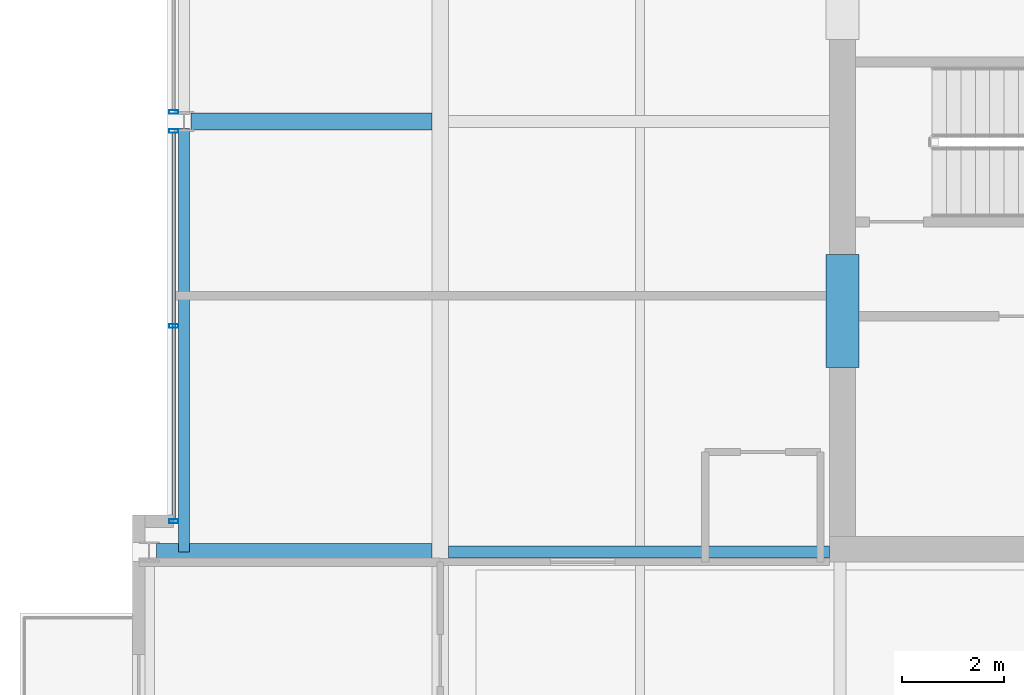
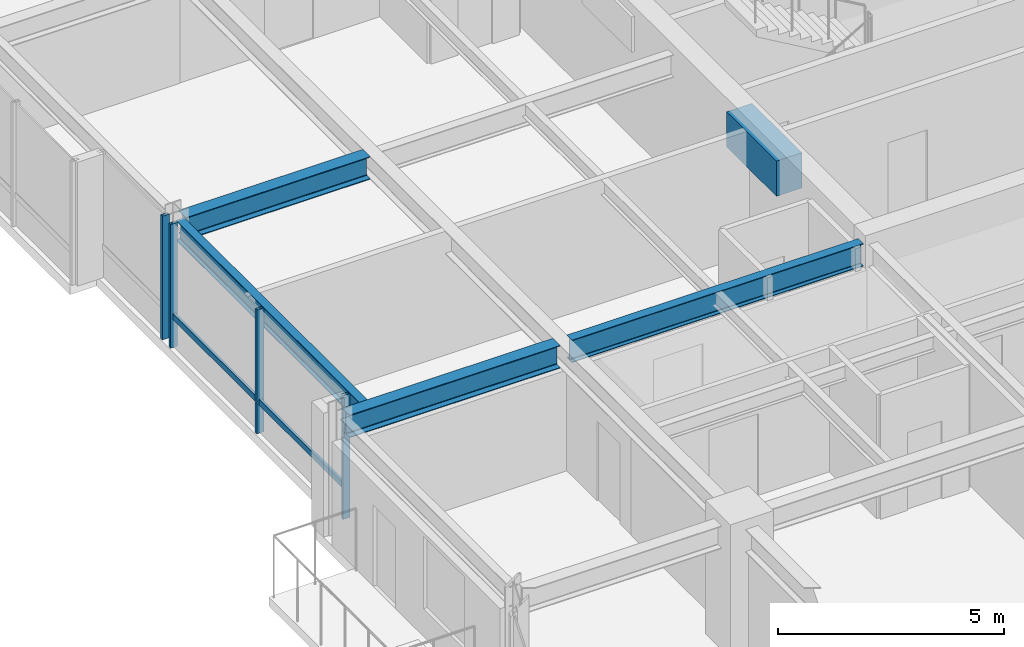
# One storey, part 8 of 31: 5 beams, 5 members, 2 elements without a shape of their own.
"""IFC4 building model written with IfcOpenShell, lengths in metres."""

import ifcopenshell
import ifcopenshell.guid

model = None  # the IFC model being written
_history = None  # IfcOwnerHistory: only IFC2X3 demands one
_inside = {}  # id of a spatial element -> (the spatial element, [elements in it])
_under = {}  # id of a project, library or spatial element -> (it, [spatial elements below it])
_declared = {}  # id of a project -> (the project, [libraries it declares])
_typed = {}  # id of a type object -> (the type object, [elements of that type])
_made_of = {}  # id of a material, layer set ... -> (it, [elements and type objects made of it])


def new_model(schema):
    """Start an empty IFC model of exactly this schema.

    Asked for "IFC4X3", IfcOpenShell would pick the latest addendum, in which some entities
    have other attributes; the version numbers below select the first issue.
    IFC2X3 requires an IfcOwnerHistory on every rooted entity: one is made here for all.
    """
    global model, _history
    if schema == "IFC4X3":
        model = ifcopenshell.file(schema_version=(4, 3, 0, 0))
    else:
        model = ifcopenshell.file(schema=schema)
    _inside.clear()
    _under.clear()
    _declared.clear()
    _typed.clear()
    _made_of.clear()
    _history = None
    if model.schema == "IFC2X3":
        org = make("IfcOrganization", Name="unknown")
        user = make(
            "IfcPersonAndOrganization",
            ThePerson=make("IfcPerson", FamilyName="unknown"),
            TheOrganization=org,
        )
        app = make(
            "IfcApplication",
            ApplicationDeveloper=org,
            Version="unknown",
            ApplicationFullName="unknown",
            ApplicationIdentifier="unknown",
        )
        _history = make(
            "IfcOwnerHistory",
            OwningUser=user,
            OwningApplication=app,
            ChangeAction="ADDED",
            CreationDate=0,
        )
    return model


def make(cls, **values):
    """One entity of the class cls with the attributes given. An attribute that is None is left unset."""
    return model.create_entity(
        cls, **{name: value for name, value in values.items() if value is not None}
    )


def rooted(cls, **values):
    """An entity with a GlobalId (a new one), such as an element, a storey or a relation."""
    return make(cls, GlobalId=ifcopenshell.guid.new(), OwnerHistory=_history, **values)


def si_unit(unit_type, name, prefix=None):
    """IfcSIUnit, for example si_unit("LENGTHUNIT", "METRE", prefix="MILLI")."""
    return make("IfcSIUnit", UnitType=unit_type, Prefix=prefix, Name=name)


def assignment(units):
    """IfcUnitAssignment: the units of a project."""
    return None if units is None else make("IfcUnitAssignment", Units=units)


def point(xyz):
    """IfcCartesianPoint."""
    return None if xyz is None else make("IfcCartesianPoint", Coordinates=xyz)


def direction(xyz):
    """IfcDirection."""
    return None if xyz is None else make("IfcDirection", DirectionRatios=xyz)


def frame(location, z_axis=None, x_axis=None):
    """IfcAxis2Placement3D, a coordinate frame: its origin and axes. An axis left out is left unset."""
    return make(
        "IfcAxis2Placement3D",
        Location=point(location),
        Axis=direction(z_axis),
        RefDirection=direction(x_axis),
    )


def frame_2d(location, x_axis=None):
    """IfcAxis2Placement2D, a coordinate frame in the plane: its origin and x axis."""
    return make(
        "IfcAxis2Placement2D", Location=point(location), RefDirection=direction(x_axis)
    )


def origin():
    """The frame at (0, 0, 0) with its axes left unset."""
    return frame((0.0, 0.0, 0.0))


def origin_2d():
    """The frame at (0, 0) in the plane with its x axis left unset."""
    return frame_2d((0.0, 0.0))


def place(relative_to, where):
    """IfcLocalPlacement: puts the frame where relative to a parent placement (None: the world)."""
    return make(
        "IfcLocalPlacement", PlacementRelTo=relative_to, RelativePlacement=where
    )


def context(
    kind, dimensions, precision=None, world=None, true_north=None, identifier=None
):
    """IfcGeometricRepresentationContext, for example the 3D "Model" context."""
    return make(
        "IfcGeometricRepresentationContext",
        ContextIdentifier=identifier,
        ContextType=kind,
        CoordinateSpaceDimension=dimensions,
        Precision=precision,
        WorldCoordinateSystem=world,
        TrueNorth=true_north,
    )


def subcontext(parent, identifier, kind, view, scale=None):
    """IfcGeometricRepresentationSubContext, for example "Body" below "Model"."""
    return make(
        "IfcGeometricRepresentationSubContext",
        ContextIdentifier=identifier,
        ContextType=kind,
        ParentContext=parent,
        TargetScale=scale,
        TargetView=view,
    )


def project(units=None, contexts=None):
    """IfcProject with its units and contexts."""
    return rooted(
        "IfcProject",
        Name="project",
        RepresentationContexts=contexts,
        UnitsInContext=assignment(units),
    )


def spatial(cls, under=None, at=None, **own):
    """A site, building, storey or space (cls), placed at a placement, below another one or the project."""
    s = rooted(cls, ObjectPlacement=at, **own)
    if under is not None:
        _under.setdefault(under.id(), (under, []))[1].append(s)
    return s


def profile(cls, at=None, kind="AREA", **sizes):
    """A parametric profile (cls). Its sizes go by their IFC names, for example OverallWidth=200.0."""
    return make(cls, ProfileType=kind, Position=at, **sizes)


def rectangle(**sizes):
    """IfcRectangleProfileDef."""
    return profile("IfcRectangleProfileDef", **sizes)


def hollow_rectangle(**sizes):
    """IfcRectangleHollowProfileDef."""
    return profile("IfcRectangleHollowProfileDef", **sizes)


def i_section(**sizes):
    """IfcIShapeProfileDef."""
    return profile("IfcIShapeProfileDef", **sizes)


def extrude(swept, where, along, depth):
    """IfcExtrudedAreaSolid: the profile swept, set in the frame where, extruded along a direction by depth."""
    return make(
        "IfcExtrudedAreaSolid",
        SweptArea=swept,
        Position=where,
        ExtrudedDirection=direction(along),
        Depth=depth,
    )


def shape(context_of_items, identifier, shape_type, items):
    """IfcShapeRepresentation: the items that make up one representation, for example the "Body"."""
    return make(
        "IfcShapeRepresentation",
        ContextOfItems=context_of_items,
        RepresentationIdentifier=identifier,
        RepresentationType=shape_type,
        Items=items,
    )


def material(Name=None, Category=None):
    """IfcMaterial."""
    return make("IfcMaterial", Name=Name, Category=Category)


def layer(
    of_material, thickness, ventilated=None, Name=None, Category=None, Priority=None
):
    """IfcMaterialLayer: one layer of a wall or slab, of a material (None: an air gap)."""
    return make(
        "IfcMaterialLayer",
        Material=of_material,
        LayerThickness=thickness,
        IsVentilated=ventilated,
        Name=Name,
        Category=Category,
        Priority=Priority,
    )


def layer_set(layers, Name=None):
    """IfcMaterialLayerSet."""
    return make("IfcMaterialLayerSet", MaterialLayers=layers, LayerSetName=Name)


def material_profile(
    of_material, cross_section, Name=None, Category=None, Priority=None
):
    """IfcMaterialProfile: a cross section and its material."""
    return make(
        "IfcMaterialProfile",
        Name=Name,
        Material=of_material,
        Profile=cross_section,
        Priority=Priority,
        Category=Category,
    )


def profile_set(profiles, Name=None, composite=None):
    """IfcMaterialProfileSet."""
    return make(
        "IfcMaterialProfileSet",
        Name=Name,
        MaterialProfiles=profiles,
        CompositeProfile=composite,
    )


def made_of(thing, what):
    """Note that an element or type object is made of a material, layer set ...; save() writes the relation."""
    if what is not None:
        _made_of.setdefault(what.id(), (what, []))[1].append(thing)
    return thing


def type_object(cls, material=None, **own):
    """A type object (cls), such as IfcWallType, which elements share."""
    return made_of(rooted(cls, **own), material)


def element(
    cls,
    number,
    at=None,
    inside=None,
    cuts=None,
    type_object=None,
    material=None,
    context=None,
    identifier="Body",
    shape_type=None,
    held_by="IfcProductDefinitionShape",
    body=None,
    shapes=None,
    **own,
):
    """One element of the class cls, such as IfcWall. Its Tag is "e" and its number.

    at: its placement. inside: the storey or other place that contains it. cuts: it is an
    opening in that element (IfcRelVoidsElement). A single representation is given by context,
    identifier, shape_type and body (its items); several are given by shapes. held_by: the class
    of the entity that holds the representations. save() writes the other relations.
    """
    e = rooted(cls, Tag="e%d" % number, ObjectPlacement=at, **own)
    if body is not None:
        shapes = [shape(context, identifier, shape_type, body)]
    if shapes is not None:
        e.Representation = make(held_by, Representations=shapes)
    if inside is not None:
        _inside.setdefault(inside.id(), (inside, []))[1].append(e)
    if cuts is not None:
        rooted(
            "IfcRelVoidsElement", RelatingBuildingElement=cuts, RelatedOpeningElement=e
        )
    if type_object is not None:
        _typed.setdefault(type_object.id(), (type_object, []))[1].append(e)
    return made_of(e, material)


def aggregate(whole, parts):
    """IfcRelAggregates: a whole, such as a stair, and the parts it consists of."""
    return rooted("IfcRelAggregates", RelatingObject=whole, RelatedObjects=parts)


def save(model, path):
    """Write the relations noted so far, then the file.

    IfcRelAggregates (storeys below a building ...), IfcRelContainedInSpatialStructure (elements
    in a storey), IfcRelDefinesByType, IfcRelAssociatesMaterial and IfcRelDeclares: one each for
    every whole, place, type object, material and project.
    """
    for whole, parts in _under.values():
        aggregate(whole, parts)
    for where, things in _inside.values():
        rooted(
            "IfcRelContainedInSpatialStructure",
            RelatedElements=things,
            RelatingStructure=where,
        )
    for kind, things in _typed.values():
        rooted("IfcRelDefinesByType", RelatedObjects=things, RelatingType=kind)
    for what, things in _made_of.values():
        rooted("IfcRelAssociatesMaterial", RelatedObjects=things, RelatingMaterial=what)
    for by, libraries in _declared.values():
        rooted("IfcRelDeclares", RelatingContext=by, RelatedDefinitions=libraries)
    model.write(path)


model = new_model("IFC4")

# Units and contexts
model_context = context("Model", 3, precision=1e-05, world=origin(), true_north=direction((0.0, 1.0)))
body_context = subcontext(model_context, "Body", "Model", "MODEL_VIEW")
ifc_project = project(units=[si_unit("LENGTHUNIT", "METRE"), si_unit("AREAUNIT", "SQUARE_METRE"), si_unit("VOLUMEUNIT", "CUBIC_METRE"), si_unit("PLANEANGLEUNIT", "RADIAN"), si_unit("MASSUNIT", "GRAM", prefix="KILO")], contexts=[model_context])

# Site, building, storey
site_placement = place(None, origin())
site = spatial("IfcSite", under=ifc_project, at=site_placement, CompositionType="ELEMENT")
building_placement = place(site_placement, origin())
building = spatial("IfcBuilding", under=site, at=building_placement, Name="Drelvath Grand Hotel", CompositionType="ELEMENT")
storey_placement = place(building_placement, frame((0.0, 0.0, 230.300048828125)))
storey = spatial("IfcBuildingStorey", under=building, at=storey_placement, Name="L60", CompositionType="ELEMENT", Elevation=230.300048828125)

# Beam
ifc_material_1 = material(Name="Concrete f'c 55 MPa", Category="concrete")
ifc_material_profile_1 = material_profile(ifc_material_1, rectangle(XDim=0.64990234375, YDim=0.949951171875, at=origin_2d()), Name="CB650X950")
ifc_profile_set_1 = profile_set([ifc_material_profile_1], Name="Concrete f'c 55 MPa")
beam_type_1 = type_object("IfcBeamType", Name="Core Coupling Lintel CB650X950", PredefinedType="LINTEL", material=ifc_profile_set_1)
beam_1_placement = place(storey_placement, frame((-8.35009765625, 22.199951171875, 2.864990234375), z_axis=(0.0, 1.0, 0.0), x_axis=(-1.0, 0.0, 0.0)))
element("IfcBeam", 1, at=beam_1_placement, inside=storey, type_object=beam_type_1, Name="L60 Core Coupling Lintel WS", PredefinedType="LINTEL", context=body_context, shape_type="SweptSolid", body=[
    extrude(rectangle(XDim=0.64990234375, YDim=0.949951171875, at=origin_2d()), origin(), (0.0, 0.0, 1.0), 2.199951171875),
])

# Curtain wall, members
ifc_material_2 = material(Name="Platinum-Mist Anodised Aluminium Frame", Category="aluminium")
ifc_layer = layer(ifc_material_2, 0.199951171875)
ifc_layer_set = layer_set([ifc_layer], Name="Platinum-Mist Anodised Aluminium Frame")
curtain_wall_type = type_object("IfcCurtainWallType", Name="Stick Curtain Wall CW-05 Platinum Mist High-Rise", PredefinedType="NOTDEFINED", material=ifc_layer_set)
curtain_wall_1_placement = place(storey_placement, origin())
curtain_wall_1 = element("IfcCurtainWall", 2, at=curtain_wall_1_placement, inside=storey, type_object=curtain_wall_type, Name="L60 CW-05 Curtain Wall CW05-L60-WM1", PredefinedType="NOTDEFINED")
ifc_material_profile_2 = material_profile(ifc_material_2, hollow_rectangle(XDim=0.06494140625, YDim=0.159912109375, WallThickness=0.00390625, at=origin_2d()), Name="HSS160X65X4")
ifc_profile_set_2 = profile_set([ifc_material_profile_2], Name="Platinum-Mist Anodised Aluminium Frame")
member_type_1 = type_object("IfcMemberType", Name="Curtain Wall Horizontal Transom CW-05 HSS160X65X4", PredefinedType="USERDEFINED", material=ifc_profile_set_2)
member_1_placement = place(storey_placement, frame((-21.39990234375, 19.239990234375, 0.8349609375), z_axis=(0.0, 1.0, 0.0), x_axis=(-1.0, 0.0, 0.0)))
member_1 = element("IfcMember", 3, at=member_1_placement, type_object=member_type_1, Name="CW05-L60-WM1 Sill Transom", ObjectType="TRANSOM", PredefinedType="USERDEFINED", context=body_context, shape_type="SweptSolid", body=[
    extrude(hollow_rectangle(XDim=0.06494140625, YDim=0.159912109375, WallThickness=0.00390625, at=origin_2d()), origin(), (0.0, 0.0, 1.0), 7.53466796875),
])
ifc_material_profile_3 = material_profile(ifc_material_2, hollow_rectangle(XDim=0.074951171875, YDim=0.179931640625, WallThickness=0.0048828125, at=origin_2d()), Name="HSS180X75X5")
ifc_profile_set_3 = profile_set([ifc_material_profile_3], Name="Platinum-Mist Anodised Aluminium Frame")
member_type_2 = type_object("IfcMemberType", Name="Curtain Wall Vertical Mullion CW-05 HSS180X75X5", PredefinedType="MULLION", material=ifc_profile_set_3)
member_2_placement = place(storey_placement, frame((-21.39990234375, 19.199951171875, 0.0), z_axis=(0.0, 0.0, 1.0), x_axis=(0.0, 1.0, 0.0)))
member_2 = element("IfcMember", 4, at=member_2_placement, type_object=member_type_2, Name="CW05-L60-WM1 Mullion 1", PredefinedType="MULLION", context=body_context, shape_type="SweptSolid", body=[
    extrude(hollow_rectangle(XDim=0.074951171875, YDim=0.179931640625, WallThickness=0.0048828125, at=origin_2d()), origin(), (0.0, 0.0, 1.0), 3.33984375),
])
member_3_placement = place(storey_placement, frame((-21.39990234375, 23.00732421875, 0.0), z_axis=(0.0, 0.0, 1.0), x_axis=(0.0, 1.0, 0.0)))
member_3 = element("IfcMember", 5, at=member_3_placement, type_object=member_type_2, Name="CW05-L60-WM1 Mullion 2", PredefinedType="MULLION", context=body_context, shape_type="SweptSolid", body=[
    extrude(hollow_rectangle(XDim=0.074951171875, YDim=0.179931640625, WallThickness=0.0048828125, at=origin_2d()), origin(), (0.0, 0.0, 1.0), 3.33984375),
])
member_4_placement = place(storey_placement, frame((-21.39990234375, 26.814697265625, 0.0), z_axis=(0.0, 0.0, 1.0), x_axis=(0.0, 1.0, 0.0)))
member_4 = element("IfcMember", 6, at=member_4_placement, type_object=member_type_2, Name="CW05-L60-WM1 Mullion 3", PredefinedType="MULLION", context=body_context, shape_type="SweptSolid", body=[
    extrude(hollow_rectangle(XDim=0.074951171875, YDim=0.179931640625, WallThickness=0.0048828125, at=origin_2d()), origin(), (0.0, 0.0, 1.0), 3.33984375),
])
aggregate(curtain_wall_1, [member_2, member_3, member_4, member_1])

# Curtain wall, member
curtain_wall_2_placement = place(storey_placement, origin())
curtain_wall_2 = element("IfcCurtainWall", 7, at=curtain_wall_2_placement, inside=storey, type_object=curtain_wall_type, Name="L60 CW-05 Curtain Wall CW05-L60-WM2", PredefinedType="NOTDEFINED")
member_5_placement = place(storey_placement, frame((-21.39990234375, 27.185302734375, 0.0), z_axis=(0.0, 0.0, 1.0), x_axis=(0.0, 1.0, 0.0)))
member_5 = element("IfcMember", 8, at=member_5_placement, type_object=member_type_2, Name="CW05-L60-WM2 Mullion 1", PredefinedType="MULLION", context=body_context, shape_type="SweptSolid", body=[
    extrude(hollow_rectangle(XDim=0.074951171875, YDim=0.179931640625, WallThickness=0.0048828125, at=origin_2d()), origin(), (0.0, 0.0, 1.0), 3.33984375),
])
aggregate(curtain_wall_2, [member_5])

# Beams
ifc_material_3 = material(Name="Steel ASTM A992 Gr 50", Category="steel")
ifc_material_profile_4 = material_profile(ifc_material_3, i_section(OverallWidth=0.210205078125, OverallDepth=0.53662109375, WebThickness=0.010986328125, FlangeThickness=0.017333984375, FilletRadius=0.01806640625, at=origin_2d()), Name="W21X68")
ifc_profile_set_4 = profile_set([ifc_material_profile_4], Name="Steel ASTM A992 Gr 50")
beam_type_2 = type_object("IfcBeamType", Name="Perimeter Spandrel Beam W21X68", PredefinedType="SPANDREL", material=ifc_profile_set_4)
beam_2_placement = place(storey_placement, frame((-21.199951171875, 18.60009765625, 3.071533203125), z_axis=(0.0, 1.0, 0.0), x_axis=(-1.0, 0.0, 0.0)))
element("IfcBeam", 9, at=beam_2_placement, inside=storey, type_object=beam_type_2, Name="L60 Spandrel West Mid S", PredefinedType="SPANDREL", context=body_context, shape_type="SweptSolid", body=[
    extrude(i_section(OverallWidth=0.210205078125, OverallDepth=0.53662109375, WebThickness=0.010986328125, FlangeThickness=0.017333984375, FilletRadius=0.01806640625, at=origin_2d()), origin(), (0.0, 0.0, 1.0), 8.260009765625),
])
ifc_material_profile_5 = material_profile(ifc_material_3, i_section(OverallWidth=0.323974609375, OverallDepth=0.611083984375, WebThickness=0.0126953125, FlangeThickness=0.01904296875, FilletRadius=0.02197265625, at=origin_2d()), Name="W24X104")
ifc_profile_set_5 = profile_set([ifc_material_profile_5], Name="Steel ASTM A992 Gr 50")
beam_type_3 = type_object("IfcBeamType", Name="Primary Floor Girder W24X104", PredefinedType="BEAM", material=ifc_profile_set_5)
beam_3_placement = place(storey_placement, frame((-21.739990234375, 18.60009765625, 3.034423828125), z_axis=(1.0, 0.0, 0.0), x_axis=(0.0, 1.0, 0.0)))
element("IfcBeam", 10, at=beam_3_placement, inside=storey, type_object=beam_type_3, Name="L60 West Wing Girder D", PredefinedType="BEAM", context=body_context, shape_type="SweptSolid", body=[
    extrude(i_section(OverallWidth=0.323974609375, OverallDepth=0.611083984375, WebThickness=0.0126953125, FlangeThickness=0.01904296875, FilletRadius=0.02197265625, at=origin_2d()), origin(), (0.0, 0.0, 1.0), 5.3779296875),
])
beam_4_placement = place(storey_placement, frame((-21.06005859375, 27.0, 3.034423828125), z_axis=(1.0, 0.0, 0.0), x_axis=(0.0, 1.0, 0.0)))
element("IfcBeam", 11, at=beam_4_placement, inside=storey, type_object=beam_type_3, Name="L60 West Wing Girder E", PredefinedType="BEAM", context=body_context, shape_type="SweptSolid", body=[
    extrude(i_section(OverallWidth=0.323974609375, OverallDepth=0.611083984375, WebThickness=0.0126953125, FlangeThickness=0.01904296875, FilletRadius=0.02197265625, at=origin_2d()), origin(), (0.0, 0.0, 1.0), 4.697998046875),
])
ifc_material_profile_6 = material_profile(ifc_material_3, i_section(OverallWidth=0.228271484375, OverallDepth=0.607666015625, WebThickness=0.01123046875, FlangeThickness=0.017333984375, FilletRadius=0.02001953125, at=origin_2d()), Name="W24X76")
ifc_profile_set_6 = profile_set([ifc_material_profile_6], Name="Steel ASTM A992 Gr 50")
beam_type_4 = type_object("IfcBeamType", Name="Primary Floor Girder W24X76", PredefinedType="BEAM", material=ifc_profile_set_6)
beam_5_placement = place(storey_placement, frame((-16.0380859375, 18.60009765625, 3.0361328125), z_axis=(1.0, 0.0, 0.0), x_axis=(0.0, 1.0, 0.0)))
element("IfcBeam", 12, at=beam_5_placement, inside=storey, type_object=beam_type_4, Name="L60 West Core Tie D", PredefinedType="BEAM", context=body_context, shape_type="SweptSolid", body=[
    extrude(i_section(OverallWidth=0.228271484375, OverallDepth=0.607666015625, WebThickness=0.01123046875, FlangeThickness=0.017333984375, FilletRadius=0.02001953125, at=origin_2d()), origin(), (0.0, 0.0, 1.0), 7.43798828125),
])

save(model, "model.ifc")
